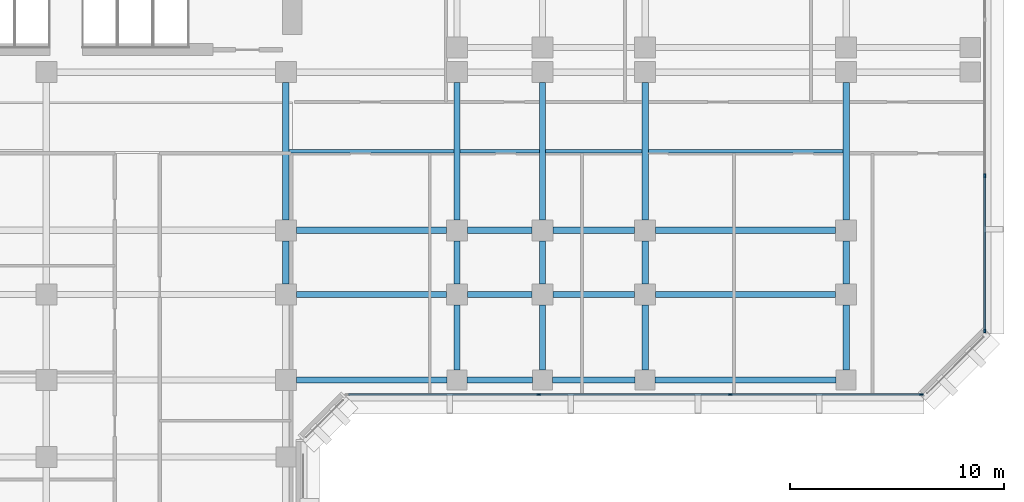
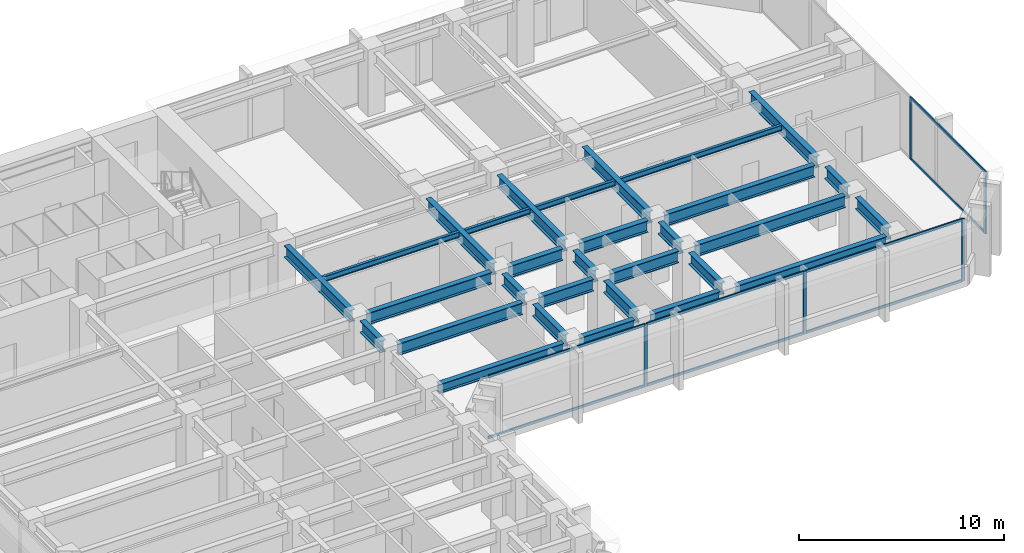
# One storey, part 3 of 13: 30 beams, 13 members, 2 elements without a shape of their own.
"""IFC4 building model written with IfcOpenShell, lengths in metres."""

from ifc_helpers import new_model, si_unit, direction, frame, origin, origin_2d, place, context, subcontext, project, spatial, rectangle, i_section, extrude, material, layer, layer_set, material_profile, profile_set, type_object, element, aggregate, save


model = new_model("IFC4")

# Units and contexts
model_context = context("Model", 3, precision=1e-05, world=origin(), true_north=direction((0.0, 1.0)))
body_context = subcontext(model_context, "Body", "Model", "MODEL_VIEW")
ifc_project = project(units=[si_unit("LENGTHUNIT", "METRE"), si_unit("AREAUNIT", "SQUARE_METRE"), si_unit("VOLUMEUNIT", "CUBIC_METRE"), si_unit("PLANEANGLEUNIT", "RADIAN"), si_unit("MASSUNIT", "GRAM", prefix="KILO")], contexts=[model_context])

# Site, building, storey
site_placement = place(None, origin())
site = spatial("IfcSite", under=ifc_project, at=site_placement, CompositionType="ELEMENT")
building_placement = place(site_placement, origin())
building = spatial("IfcBuilding", under=site, at=building_placement, Name="Kefirva Bronze Tower", CompositionType="ELEMENT")
storey_placement = place(building_placement, frame((0.0, 0.0, 62.0400390625)))
storey = spatial("IfcBuildingStorey", under=building, at=storey_placement, Name="L14", CompositionType="ELEMENT", Elevation=62.0400390625)

# Curtain wall, members
ifc_material_1 = material(Name="Bronze anodised aluminium", Category="aluminium")
ifc_layer = layer(ifc_material_1, 0.199951171875, Name="Bronze anodised aluminium")
ifc_layer_set = layer_set([ifc_layer], Name="Bronze anodised aluminium")
curtain_wall_type = type_object("IfcCurtainWallType", Name="Unitised Bronze Ribbon Curtain Wall Zone 1", PredefinedType="USERDEFINED", material=ifc_layer_set)
curtain_wall_1_placement = place(storey_placement, origin())
curtain_wall_1 = element("IfcCurtainWall", 1, at=curtain_wall_1_placement, inside=storey, type_object=curtain_wall_type, Name="L14 Curtain Wall 2", ObjectType="UNITISED CURTAIN WALL", PredefinedType="USERDEFINED")
ifc_material_profile_1 = material_profile(ifc_material_1, rectangle(XDim=0.074951171875, YDim=0.179931640625, at=origin_2d()), Name="ALU 75x180")
ifc_profile_set_1 = profile_set([ifc_material_profile_1], Name="Bronze anodised aluminium")
member_type_1 = type_object("IfcMemberType", Name="Bronze Mullion 75x180", PredefinedType="MULLION", material=ifc_profile_set_1)
member_1_placement = place(storey_placement, frame((35.018310546875, 18.1201171875, 0.0), z_axis=(0.0, 0.0, 1.0), x_axis=(0.0, 1.0, 0.0)))
member_1 = element("IfcMember", 2, at=member_1_placement, type_object=member_type_1, Name="CW-01 mullion 2", PredefinedType="MULLION", context=body_context, shape_type="SweptSolid", body=[
    extrude(rectangle(XDim=0.074951171875, YDim=0.179931640625, at=origin_2d()), origin(), (0.0, 0.0, 1.0), 3.7099609375),
])
member_2_placement = place(storey_placement, frame((43.981689453125, 18.1201171875, 0.0), z_axis=(0.0, 0.0, 1.0), x_axis=(0.0, 1.0, 0.0)))
member_2 = element("IfcMember", 3, at=member_2_placement, type_object=member_type_1, Name="CW-01 mullion 3", PredefinedType="MULLION", context=body_context, shape_type="SweptSolid", body=[
    extrude(rectangle(XDim=0.074951171875, YDim=0.179931640625, at=origin_2d()), origin(), (0.0, 0.0, 1.0), 3.7099609375),
])
member_3_placement = place(storey_placement, frame((52.907470703125, 18.1201171875, 0.0), z_axis=(0.0, 0.0, 1.0), x_axis=(0.0, 1.0, 0.0)))
member_3 = element("IfcMember", 4, at=member_3_placement, type_object=member_type_1, Name="CW-01 mullion 4", PredefinedType="MULLION", context=body_context, shape_type="SweptSolid", body=[
    extrude(rectangle(XDim=0.074951171875, YDim=0.179931640625, at=origin_2d()), origin(), (0.0, 0.0, 1.0), 3.7099609375),
])

curtain_wall_2_placement = place(storey_placement, origin())
curtain_wall_2 = element("IfcCurtainWall", 5, at=curtain_wall_2_placement, inside=storey, type_object=curtain_wall_type, Name="L14 Curtain Wall 3", ObjectType="UNITISED CURTAIN WALL", PredefinedType="USERDEFINED")
member_4_placement = place(storey_placement, frame((55.8798828125, 21.092529296875, 0.0), z_axis=(0.0, 0.0, 1.0), x_axis=(-1.0, 0.0, 0.0)))
member_4 = element("IfcMember", 6, at=member_4_placement, type_object=member_type_1, Name="CW-01 mullion 1", PredefinedType="MULLION", context=body_context, shape_type="SweptSolid", body=[
    extrude(rectangle(XDim=0.074951171875, YDim=0.179931640625, at=origin_2d()), origin(), (0.0, 0.0, 1.0), 3.7099609375),
])
member_5_placement = place(storey_placement, frame((55.8798828125, 28.3515625, 0.0), z_axis=(0.0, 0.0, 1.0), x_axis=(-1.0, 0.0, 0.0)))
member_5 = element("IfcMember", 7, at=member_5_placement, type_object=member_type_1, Name="CW-01 mullion 2", PredefinedType="MULLION", context=body_context, shape_type="SweptSolid", body=[
    extrude(rectangle(XDim=0.074951171875, YDim=0.179931640625, at=origin_2d()), origin(), (0.0, 0.0, 1.0), 3.7099609375),
])

# Member
ifc_material_profile_2 = material_profile(ifc_material_1, rectangle(XDim=0.074951171875, YDim=0.14990234375, at=origin_2d()), Name="ALU 75x150")
ifc_profile_set_2 = profile_set([ifc_material_profile_2], Name="Bronze anodised aluminium")
member_type_2 = type_object("IfcMemberType", Name="Bronze Transom 75x150", PredefinedType="USERDEFINED", material=ifc_profile_set_2)
member_6_placement = place(storey_placement, frame((26.1298828125, 18.1201171875, 0.037353515625), z_axis=(1.0, 0.0, 0.0), x_axis=(0.0, 1.0, 0.0)))
member_6 = element("IfcMember", 8, at=member_6_placement, type_object=member_type_2, Name="CW-01 transom 1.1", ObjectType="TRANSOM", PredefinedType="USERDEFINED", context=body_context, shape_type="SweptSolid", body=[
    extrude(rectangle(XDim=0.074951171875, YDim=0.14990234375, at=origin_2d()), origin(), (0.0, 0.0, 1.0), 8.850830078125),
])

member_7_placement = place(storey_placement, frame((26.1298828125, 18.1201171875, 3.67236328125), z_axis=(1.0, 0.0, 0.0), x_axis=(0.0, 1.0, 0.0)))
member_7 = element("IfcMember", 9, at=member_7_placement, type_object=member_type_2, Name="CW-01 transom 1.2", ObjectType="TRANSOM", PredefinedType="USERDEFINED", context=body_context, shape_type="SweptSolid", body=[
    extrude(rectangle(XDim=0.074951171875, YDim=0.14990234375, at=origin_2d()), origin(), (0.0, 0.0, 1.0), 8.850830078125),
])

member_8_placement = place(storey_placement, frame((35.055908203125, 18.1201171875, 0.037353515625), z_axis=(1.0, 0.0, 0.0), x_axis=(0.0, 1.0, 0.0)))
member_8 = element("IfcMember", 10, at=member_8_placement, type_object=member_type_2, Name="CW-01 transom 2.1", ObjectType="TRANSOM", PredefinedType="USERDEFINED", context=body_context, shape_type="SweptSolid", body=[
    extrude(rectangle(XDim=0.074951171875, YDim=0.14990234375, at=origin_2d()), origin(), (0.0, 0.0, 1.0), 8.88818359375),
])

member_9_placement = place(storey_placement, frame((35.055908203125, 18.1201171875, 3.67236328125), z_axis=(1.0, 0.0, 0.0), x_axis=(0.0, 1.0, 0.0)))
member_9 = element("IfcMember", 11, at=member_9_placement, type_object=member_type_2, Name="CW-01 transom 2.2", ObjectType="TRANSOM", PredefinedType="USERDEFINED", context=body_context, shape_type="SweptSolid", body=[
    extrude(rectangle(XDim=0.074951171875, YDim=0.14990234375, at=origin_2d()), origin(), (0.0, 0.0, 1.0), 8.88818359375),
])

member_10_placement = place(storey_placement, frame((44.019287109375, 18.1201171875, 0.037353515625), z_axis=(1.0, 0.0, 0.0), x_axis=(0.0, 1.0, 0.0)))
member_10 = element("IfcMember", 12, at=member_10_placement, type_object=member_type_2, Name="CW-01 transom 3.1", ObjectType="TRANSOM", PredefinedType="USERDEFINED", context=body_context, shape_type="SweptSolid", body=[
    extrude(rectangle(XDim=0.074951171875, YDim=0.14990234375, at=origin_2d()), origin(), (0.0, 0.0, 1.0), 8.850830078125),
])

member_11_placement = place(storey_placement, frame((44.019287109375, 18.1201171875, 3.67236328125), z_axis=(1.0, 0.0, 0.0), x_axis=(0.0, 1.0, 0.0)))
member_11 = element("IfcMember", 13, at=member_11_placement, type_object=member_type_2, Name="CW-01 transom 3.2", ObjectType="TRANSOM", PredefinedType="USERDEFINED", context=body_context, shape_type="SweptSolid", body=[
    extrude(rectangle(XDim=0.074951171875, YDim=0.14990234375, at=origin_2d()), origin(), (0.0, 0.0, 1.0), 8.850830078125),
])

aggregate(curtain_wall_1, [member_1, member_2, member_3, member_6, member_7, member_8, member_9, member_10, member_11])

member_12_placement = place(storey_placement, frame((55.8798828125, 21.1298828125, 0.037353515625), z_axis=(0.0, 1.0, 0.0), x_axis=(-1.0, 0.0, 0.0)))
member_12 = element("IfcMember", 14, at=member_12_placement, type_object=member_type_2, Name="CW-01 transom 1.1", ObjectType="TRANSOM", PredefinedType="USERDEFINED", context=body_context, shape_type="SweptSolid", body=[
    extrude(rectangle(XDim=0.074951171875, YDim=0.14990234375, at=origin_2d()), origin(), (0.0, 0.0, 1.0), 7.184326171875),
])

member_13_placement = place(storey_placement, frame((55.8798828125, 21.1298828125, 3.67236328125), z_axis=(0.0, 1.0, 0.0), x_axis=(-1.0, 0.0, 0.0)))
member_13 = element("IfcMember", 15, at=member_13_placement, type_object=member_type_2, Name="CW-01 transom 1.2", ObjectType="TRANSOM", PredefinedType="USERDEFINED", context=body_context, shape_type="SweptSolid", body=[
    extrude(rectangle(XDim=0.074951171875, YDim=0.14990234375, at=origin_2d()), origin(), (0.0, 0.0, 1.0), 7.184326171875),
])

aggregate(curtain_wall_2, [member_4, member_5, member_12, member_13])

# Beams
ifc_material_2 = material(Name="Steel S355", Category="steel")
ifc_material_profile_3 = material_profile(ifc_material_2, i_section(OverallWidth=0.159912109375, OverallDepth=0.330078125, WebThickness=0.007568359375, FlangeThickness=0.011474609375, at=origin_2d()), Name="IPE 330")
ifc_profile_set_3 = profile_set([ifc_material_profile_3], Name="Steel S355")
beam_type_1 = type_object("IfcBeamType", Name="Steel Floor Joist IPE 330", PredefinedType="JOIST", material=ifc_profile_set_3)
beam_1_placement = place(storey_placement, frame((23.35009765625, 29.5, 3.544921875), z_axis=(1.0, 0.0, 0.0), x_axis=(0.0, 1.0, 0.0)))
element("IfcBeam", 16, at=beam_1_placement, inside=storey, type_object=beam_type_1, Name="L14 JST-L14-23-295", PredefinedType="JOIST", context=body_context, shape_type="SweptSolid", body=[
    extrude(i_section(OverallWidth=0.159912109375, OverallDepth=0.330078125, WebThickness=0.007568359375, FlangeThickness=0.011474609375, at=origin_2d()), origin(), (0.0, 0.0, 1.0), 7.699951171875),
])
beam_2_placement = place(storey_placement, frame((31.35009765625, 29.5, 3.544921875), z_axis=(1.0, 0.0, 0.0), x_axis=(0.0, 1.0, 0.0)))
element("IfcBeam", 17, at=beam_2_placement, inside=storey, type_object=beam_type_1, Name="L14 JST-L14-31-295", PredefinedType="JOIST", context=body_context, shape_type="SweptSolid", body=[
    extrude(i_section(OverallWidth=0.159912109375, OverallDepth=0.330078125, WebThickness=0.007568359375, FlangeThickness=0.011474609375, at=origin_2d()), origin(), (0.0, 0.0, 1.0), 3.699951171875),
])
beam_3_placement = place(storey_placement, frame((35.35009765625, 29.5, 3.544921875), z_axis=(1.0, 0.0, 0.0), x_axis=(0.0, 1.0, 0.0)))
element("IfcBeam", 18, at=beam_3_placement, inside=storey, type_object=beam_type_1, Name="L14 JST-L14-35-295", PredefinedType="JOIST", context=body_context, shape_type="SweptSolid", body=[
    extrude(i_section(OverallWidth=0.159912109375, OverallDepth=0.330078125, WebThickness=0.007568359375, FlangeThickness=0.011474609375, at=origin_2d()), origin(), (0.0, 0.0, 1.0), 4.5),
])
beam_4_placement = place(storey_placement, frame((40.14990234375, 29.5, 3.544921875), z_axis=(1.0, 0.0, 0.0), x_axis=(0.0, 1.0, 0.0)))
element("IfcBeam", 19, at=beam_4_placement, inside=storey, type_object=beam_type_1, Name="L14 JST-L14-40-295", PredefinedType="JOIST", context=body_context, shape_type="SweptSolid", body=[
    extrude(i_section(OverallWidth=0.159912109375, OverallDepth=0.330078125, WebThickness=0.007568359375, FlangeThickness=0.011474609375, at=origin_2d()), origin(), (0.0, 0.0, 1.0), 9.10009765625),
])
ifc_material_profile_4 = material_profile(ifc_material_2, i_section(OverallWidth=0.300048828125, OverallDepth=0.699951171875, WebThickness=0.01708984375, FlangeThickness=0.031982421875, at=origin_2d()), Name="HEB 700")
ifc_profile_set_4 = profile_set([ifc_material_profile_4], Name="Steel S355")
beam_type_2 = type_object("IfcBeamType", Name="Steel Girder HEB 700", PredefinedType="USERDEFINED", material=ifc_profile_set_4)
beam_5_placement = place(storey_placement, frame((23.68994140625, 22.800048828125, 3.35986328125), z_axis=(1.0, 0.0, 0.0), x_axis=(0.0, 1.0, 0.0)))
element("IfcBeam", 20, at=beam_5_placement, inside=storey, type_object=beam_type_2, Name="L14 BM-L14-EW-23-228", ObjectType="GIRDER", PredefinedType="USERDEFINED", context=body_context, shape_type="SweptSolid", body=[
    extrude(i_section(OverallWidth=0.300048828125, OverallDepth=0.699951171875, WebThickness=0.01708984375, FlangeThickness=0.031982421875, at=origin_2d()), origin(), (0.0, 0.0, 1.0), 7.02001953125),
])
beam_6_placement = place(storey_placement, frame((31.68994140625, 22.800048828125, 3.35986328125), z_axis=(1.0, 0.0, 0.0), x_axis=(0.0, 1.0, 0.0)))
element("IfcBeam", 21, at=beam_6_placement, inside=storey, type_object=beam_type_2, Name="L14 BM-L14-EW-31-228", ObjectType="GIRDER", PredefinedType="USERDEFINED", context=body_context, shape_type="SweptSolid", body=[
    extrude(i_section(OverallWidth=0.300048828125, OverallDepth=0.699951171875, WebThickness=0.01708984375, FlangeThickness=0.031982421875, at=origin_2d()), origin(), (0.0, 0.0, 1.0), 3.02001953125),
])
beam_7_placement = place(storey_placement, frame((35.68994140625, 22.800048828125, 3.35986328125), z_axis=(1.0, 0.0, 0.0), x_axis=(0.0, 1.0, 0.0)))
element("IfcBeam", 22, at=beam_7_placement, inside=storey, type_object=beam_type_2, Name="L14 BM-L14-EW-35-228", ObjectType="GIRDER", PredefinedType="USERDEFINED", context=body_context, shape_type="SweptSolid", body=[
    extrude(i_section(OverallWidth=0.300048828125, OverallDepth=0.699951171875, WebThickness=0.01708984375, FlangeThickness=0.031982421875, at=origin_2d()), origin(), (0.0, 0.0, 1.0), 3.820068359375),
])
beam_8_placement = place(storey_placement, frame((40.489990234375, 22.800048828125, 3.35986328125), z_axis=(1.0, 0.0, 0.0), x_axis=(0.0, 1.0, 0.0)))
element("IfcBeam", 23, at=beam_8_placement, inside=storey, type_object=beam_type_2, Name="L14 BM-L14-EW-40-228", ObjectType="GIRDER", PredefinedType="USERDEFINED", context=body_context, shape_type="SweptSolid", body=[
    extrude(i_section(OverallWidth=0.300048828125, OverallDepth=0.699951171875, WebThickness=0.01708984375, FlangeThickness=0.031982421875, at=origin_2d()), origin(), (0.0, 0.0, 1.0), 8.419921875),
])
beam_9_placement = place(storey_placement, frame((23.68994140625, 25.800048828125, 3.35986328125), z_axis=(1.0, 0.0, 0.0), x_axis=(0.0, 1.0, 0.0)))
element("IfcBeam", 24, at=beam_9_placement, inside=storey, type_object=beam_type_2, Name="L14 BM-L14-EW-23-258", ObjectType="GIRDER", PredefinedType="USERDEFINED", context=body_context, shape_type="SweptSolid", body=[
    extrude(i_section(OverallWidth=0.300048828125, OverallDepth=0.699951171875, WebThickness=0.01708984375, FlangeThickness=0.031982421875, at=origin_2d()), origin(), (0.0, 0.0, 1.0), 7.02001953125),
])
beam_10_placement = place(storey_placement, frame((31.68994140625, 25.800048828125, 3.35986328125), z_axis=(1.0, 0.0, 0.0), x_axis=(0.0, 1.0, 0.0)))
element("IfcBeam", 25, at=beam_10_placement, inside=storey, type_object=beam_type_2, Name="L14 BM-L14-EW-31-258", ObjectType="GIRDER", PredefinedType="USERDEFINED", context=body_context, shape_type="SweptSolid", body=[
    extrude(i_section(OverallWidth=0.300048828125, OverallDepth=0.699951171875, WebThickness=0.01708984375, FlangeThickness=0.031982421875, at=origin_2d()), origin(), (0.0, 0.0, 1.0), 3.02001953125),
])
beam_11_placement = place(storey_placement, frame((35.68994140625, 25.800048828125, 3.35986328125), z_axis=(1.0, 0.0, 0.0), x_axis=(0.0, 1.0, 0.0)))
element("IfcBeam", 26, at=beam_11_placement, inside=storey, type_object=beam_type_2, Name="L14 BM-L14-EW-35-258", ObjectType="GIRDER", PredefinedType="USERDEFINED", context=body_context, shape_type="SweptSolid", body=[
    extrude(i_section(OverallWidth=0.300048828125, OverallDepth=0.699951171875, WebThickness=0.01708984375, FlangeThickness=0.031982421875, at=origin_2d()), origin(), (0.0, 0.0, 1.0), 3.820068359375),
])
beam_12_placement = place(storey_placement, frame((40.489990234375, 25.800048828125, 3.35986328125), z_axis=(1.0, 0.0, 0.0), x_axis=(0.0, 1.0, 0.0)))
element("IfcBeam", 27, at=beam_12_placement, inside=storey, type_object=beam_type_2, Name="L14 BM-L14-EW-40-258", ObjectType="GIRDER", PredefinedType="USERDEFINED", context=body_context, shape_type="SweptSolid", body=[
    extrude(i_section(OverallWidth=0.300048828125, OverallDepth=0.699951171875, WebThickness=0.01708984375, FlangeThickness=0.031982421875, at=origin_2d()), origin(), (0.0, 0.0, 1.0), 8.419921875),
])
beam_13_placement = place(storey_placement, frame((23.199951171875, 23.2900390625, 3.35986328125), z_axis=(0.0, 1.0, 0.0), x_axis=(-1.0, 0.0, 0.0)))
element("IfcBeam", 28, at=beam_13_placement, inside=storey, type_object=beam_type_2, Name="L14 BM-L14-NS-232-22", ObjectType="GIRDER", PredefinedType="USERDEFINED", context=body_context, shape_type="SweptSolid", body=[
    extrude(i_section(OverallWidth=0.300048828125, OverallDepth=0.699951171875, WebThickness=0.01708984375, FlangeThickness=0.031982421875, at=origin_2d()), origin(), (0.0, 0.0, 1.0), 2.02001953125),
])
beam_14_placement = place(storey_placement, frame((23.199951171875, 26.2900390625, 3.35986328125), z_axis=(0.0, 1.0, 0.0), x_axis=(-1.0, 0.0, 0.0)))
element("IfcBeam", 29, at=beam_14_placement, inside=storey, type_object=beam_type_2, Name="L14 BM-L14-NS-232-25", ObjectType="GIRDER", PredefinedType="USERDEFINED", context=body_context, shape_type="SweptSolid", body=[
    extrude(i_section(OverallWidth=0.300048828125, OverallDepth=0.699951171875, WebThickness=0.01708984375, FlangeThickness=0.031982421875, at=origin_2d()), origin(), (0.0, 0.0, 1.0), 6.419921875),
])
beam_15_placement = place(storey_placement, frame((31.199951171875, 19.27001953125, 3.35986328125), z_axis=(0.0, 1.0, 0.0), x_axis=(-1.0, 0.0, 0.0)))
element("IfcBeam", 30, at=beam_15_placement, inside=storey, type_object=beam_type_2, Name="L14 BM-L14-NS-312-18", ObjectType="GIRDER", PredefinedType="USERDEFINED", context=body_context, shape_type="SweptSolid", body=[
    extrude(i_section(OverallWidth=0.300048828125, OverallDepth=0.699951171875, WebThickness=0.01708984375, FlangeThickness=0.031982421875, at=origin_2d()), origin(), (0.0, 0.0, 1.0), 3.0400390625),
])
beam_16_placement = place(storey_placement, frame((31.199951171875, 23.2900390625, 3.35986328125), z_axis=(0.0, 1.0, 0.0), x_axis=(-1.0, 0.0, 0.0)))
element("IfcBeam", 31, at=beam_16_placement, inside=storey, type_object=beam_type_2, Name="L14 BM-L14-NS-312-22", ObjectType="GIRDER", PredefinedType="USERDEFINED", context=body_context, shape_type="SweptSolid", body=[
    extrude(i_section(OverallWidth=0.300048828125, OverallDepth=0.699951171875, WebThickness=0.01708984375, FlangeThickness=0.031982421875, at=origin_2d()), origin(), (0.0, 0.0, 1.0), 2.02001953125),
])
beam_17_placement = place(storey_placement, frame((31.199951171875, 26.2900390625, 3.35986328125), z_axis=(0.0, 1.0, 0.0), x_axis=(-1.0, 0.0, 0.0)))
element("IfcBeam", 32, at=beam_17_placement, inside=storey, type_object=beam_type_2, Name="L14 BM-L14-NS-312-25", ObjectType="GIRDER", PredefinedType="USERDEFINED", context=body_context, shape_type="SweptSolid", body=[
    extrude(i_section(OverallWidth=0.300048828125, OverallDepth=0.699951171875, WebThickness=0.01708984375, FlangeThickness=0.031982421875, at=origin_2d()), origin(), (0.0, 0.0, 1.0), 6.419921875),
])
beam_18_placement = place(storey_placement, frame((35.199951171875, 19.27001953125, 3.35986328125), z_axis=(0.0, 1.0, 0.0), x_axis=(-1.0, 0.0, 0.0)))
element("IfcBeam", 33, at=beam_18_placement, inside=storey, type_object=beam_type_2, Name="L14 BM-L14-NS-352-18", ObjectType="GIRDER", PredefinedType="USERDEFINED", context=body_context, shape_type="SweptSolid", body=[
    extrude(i_section(OverallWidth=0.300048828125, OverallDepth=0.699951171875, WebThickness=0.01708984375, FlangeThickness=0.031982421875, at=origin_2d()), origin(), (0.0, 0.0, 1.0), 3.0400390625),
])
beam_19_placement = place(storey_placement, frame((35.199951171875, 23.2900390625, 3.35986328125), z_axis=(0.0, 1.0, 0.0), x_axis=(-1.0, 0.0, 0.0)))
element("IfcBeam", 34, at=beam_19_placement, inside=storey, type_object=beam_type_2, Name="L14 BM-L14-NS-352-22", ObjectType="GIRDER", PredefinedType="USERDEFINED", context=body_context, shape_type="SweptSolid", body=[
    extrude(i_section(OverallWidth=0.300048828125, OverallDepth=0.699951171875, WebThickness=0.01708984375, FlangeThickness=0.031982421875, at=origin_2d()), origin(), (0.0, 0.0, 1.0), 2.02001953125),
])
beam_20_placement = place(storey_placement, frame((35.199951171875, 26.2900390625, 3.35986328125), z_axis=(0.0, 1.0, 0.0), x_axis=(-1.0, 0.0, 0.0)))
element("IfcBeam", 35, at=beam_20_placement, inside=storey, type_object=beam_type_2, Name="L14 BM-L14-NS-352-25", ObjectType="GIRDER", PredefinedType="USERDEFINED", context=body_context, shape_type="SweptSolid", body=[
    extrude(i_section(OverallWidth=0.300048828125, OverallDepth=0.699951171875, WebThickness=0.01708984375, FlangeThickness=0.031982421875, at=origin_2d()), origin(), (0.0, 0.0, 1.0), 6.419921875),
])
beam_21_placement = place(storey_placement, frame((40.0, 19.27001953125, 3.35986328125), z_axis=(0.0, 1.0, 0.0), x_axis=(-1.0, 0.0, 0.0)))
element("IfcBeam", 36, at=beam_21_placement, inside=storey, type_object=beam_type_2, Name="L14 BM-L14-NS-400-18", ObjectType="GIRDER", PredefinedType="USERDEFINED", context=body_context, shape_type="SweptSolid", body=[
    extrude(i_section(OverallWidth=0.300048828125, OverallDepth=0.699951171875, WebThickness=0.01708984375, FlangeThickness=0.031982421875, at=origin_2d()), origin(), (0.0, 0.0, 1.0), 3.0400390625),
])
beam_22_placement = place(storey_placement, frame((40.0, 23.2900390625, 3.35986328125), z_axis=(0.0, 1.0, 0.0), x_axis=(-1.0, 0.0, 0.0)))
element("IfcBeam", 37, at=beam_22_placement, inside=storey, type_object=beam_type_2, Name="L14 BM-L14-NS-400-22", ObjectType="GIRDER", PredefinedType="USERDEFINED", context=body_context, shape_type="SweptSolid", body=[
    extrude(i_section(OverallWidth=0.300048828125, OverallDepth=0.699951171875, WebThickness=0.01708984375, FlangeThickness=0.031982421875, at=origin_2d()), origin(), (0.0, 0.0, 1.0), 2.02001953125),
])
beam_23_placement = place(storey_placement, frame((40.0, 26.2900390625, 3.35986328125), z_axis=(0.0, 1.0, 0.0), x_axis=(-1.0, 0.0, 0.0)))
element("IfcBeam", 38, at=beam_23_placement, inside=storey, type_object=beam_type_2, Name="L14 BM-L14-NS-400-25", ObjectType="GIRDER", PredefinedType="USERDEFINED", context=body_context, shape_type="SweptSolid", body=[
    extrude(i_section(OverallWidth=0.300048828125, OverallDepth=0.699951171875, WebThickness=0.01708984375, FlangeThickness=0.031982421875, at=origin_2d()), origin(), (0.0, 0.0, 1.0), 6.419921875),
])
beam_24_placement = place(storey_placement, frame((49.39990234375, 19.27001953125, 3.35986328125), z_axis=(0.0, 1.0, 0.0), x_axis=(-1.0, 0.0, 0.0)))
element("IfcBeam", 39, at=beam_24_placement, inside=storey, type_object=beam_type_2, Name="L14 BM-L14-NS-494-18", ObjectType="GIRDER", PredefinedType="USERDEFINED", context=body_context, shape_type="SweptSolid", body=[
    extrude(i_section(OverallWidth=0.300048828125, OverallDepth=0.699951171875, WebThickness=0.01708984375, FlangeThickness=0.031982421875, at=origin_2d()), origin(), (0.0, 0.0, 1.0), 3.0400390625),
])
beam_25_placement = place(storey_placement, frame((49.39990234375, 23.2900390625, 3.35986328125), z_axis=(0.0, 1.0, 0.0), x_axis=(-1.0, 0.0, 0.0)))
element("IfcBeam", 40, at=beam_25_placement, inside=storey, type_object=beam_type_2, Name="L14 BM-L14-NS-494-22", ObjectType="GIRDER", PredefinedType="USERDEFINED", context=body_context, shape_type="SweptSolid", body=[
    extrude(i_section(OverallWidth=0.300048828125, OverallDepth=0.699951171875, WebThickness=0.01708984375, FlangeThickness=0.031982421875, at=origin_2d()), origin(), (0.0, 0.0, 1.0), 2.02001953125),
])
beam_26_placement = place(storey_placement, frame((49.39990234375, 26.2900390625, 3.35986328125), z_axis=(0.0, 1.0, 0.0), x_axis=(-1.0, 0.0, 0.0)))
element("IfcBeam", 41, at=beam_26_placement, inside=storey, type_object=beam_type_2, Name="L14 BM-L14-NS-494-25", ObjectType="GIRDER", PredefinedType="USERDEFINED", context=body_context, shape_type="SweptSolid", body=[
    extrude(i_section(OverallWidth=0.300048828125, OverallDepth=0.699951171875, WebThickness=0.01708984375, FlangeThickness=0.031982421875, at=origin_2d()), origin(), (0.0, 0.0, 1.0), 6.419921875),
])
ifc_material_profile_5 = material_profile(ifc_material_2, i_section(OverallWidth=0.300048828125, OverallDepth=0.550048828125, WebThickness=0.014892578125, FlangeThickness=0.029052734375, at=origin_2d()), Name="HEB 550")
ifc_profile_set_5 = profile_set([ifc_material_profile_5], Name="Steel S355")
beam_type_3 = type_object("IfcBeamType", Name="Steel Spandrel HEB 550 Ext", PredefinedType="SPANDREL", material=ifc_profile_set_5)
beam_27_placement = place(storey_placement, frame((23.68994140625, 18.800048828125, 3.43505859375), z_axis=(1.0, 0.0, 0.0), x_axis=(0.0, 1.0, 0.0)))
element("IfcBeam", 42, at=beam_27_placement, inside=storey, type_object=beam_type_3, Name="L14 BM-L14-EW-23-188", PredefinedType="SPANDREL", context=body_context, shape_type="SweptSolid", body=[
    extrude(i_section(OverallWidth=0.300048828125, OverallDepth=0.550048828125, WebThickness=0.014892578125, FlangeThickness=0.029052734375, at=origin_2d()), origin(), (0.0, 0.0, 1.0), 7.0400390625),
])
beam_28_placement = place(storey_placement, frame((31.669921875, 18.800048828125, 3.43505859375), z_axis=(1.0, 0.0, 0.0), x_axis=(0.0, 1.0, 0.0)))
element("IfcBeam", 43, at=beam_28_placement, inside=storey, type_object=beam_type_3, Name="L14 BM-L14-EW-31-188", PredefinedType="SPANDREL", context=body_context, shape_type="SweptSolid", body=[
    extrude(i_section(OverallWidth=0.300048828125, OverallDepth=0.550048828125, WebThickness=0.014892578125, FlangeThickness=0.029052734375, at=origin_2d()), origin(), (0.0, 0.0, 1.0), 3.06005859375),
])
beam_29_placement = place(storey_placement, frame((35.669921875, 18.800048828125, 3.43505859375), z_axis=(1.0, 0.0, 0.0), x_axis=(0.0, 1.0, 0.0)))
element("IfcBeam", 44, at=beam_29_placement, inside=storey, type_object=beam_type_3, Name="L14 BM-L14-EW-35-188", PredefinedType="SPANDREL", context=body_context, shape_type="SweptSolid", body=[
    extrude(i_section(OverallWidth=0.300048828125, OverallDepth=0.550048828125, WebThickness=0.014892578125, FlangeThickness=0.029052734375, at=origin_2d()), origin(), (0.0, 0.0, 1.0), 3.860107421875),
])
beam_30_placement = place(storey_placement, frame((40.469970703125, 18.800048828125, 3.43505859375), z_axis=(1.0, 0.0, 0.0), x_axis=(0.0, 1.0, 0.0)))
element("IfcBeam", 45, at=beam_30_placement, inside=storey, type_object=beam_type_3, Name="L14 BM-L14-EW-40-188", PredefinedType="SPANDREL", context=body_context, shape_type="SweptSolid", body=[
    extrude(i_section(OverallWidth=0.300048828125, OverallDepth=0.550048828125, WebThickness=0.014892578125, FlangeThickness=0.029052734375, at=origin_2d()), origin(), (0.0, 0.0, 1.0), 8.4599609375),
])

save(model, "model.ifc")
